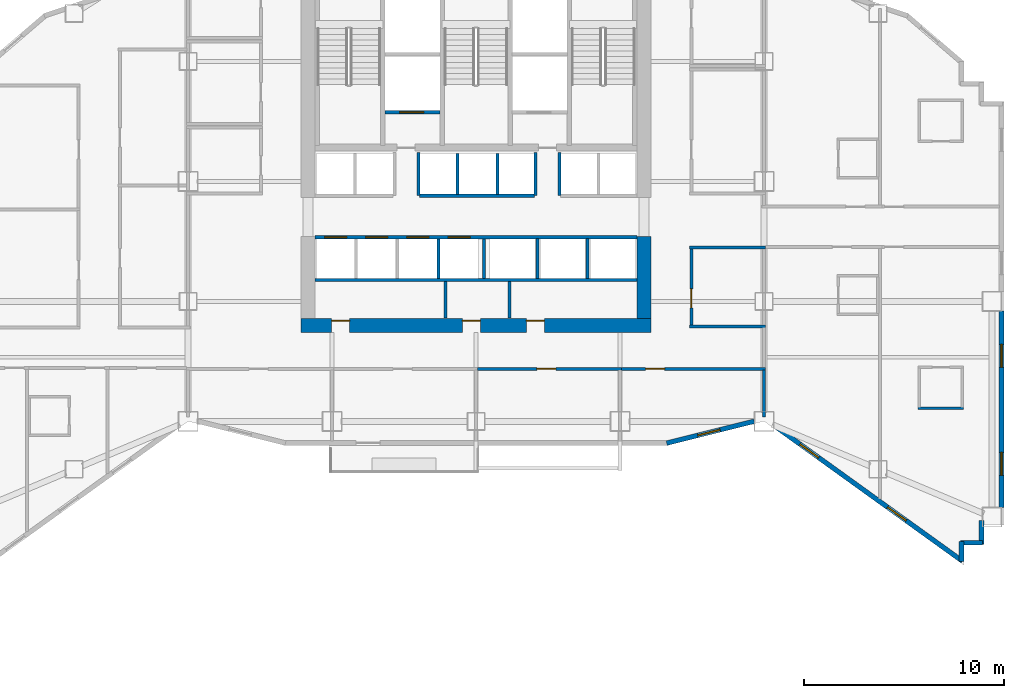
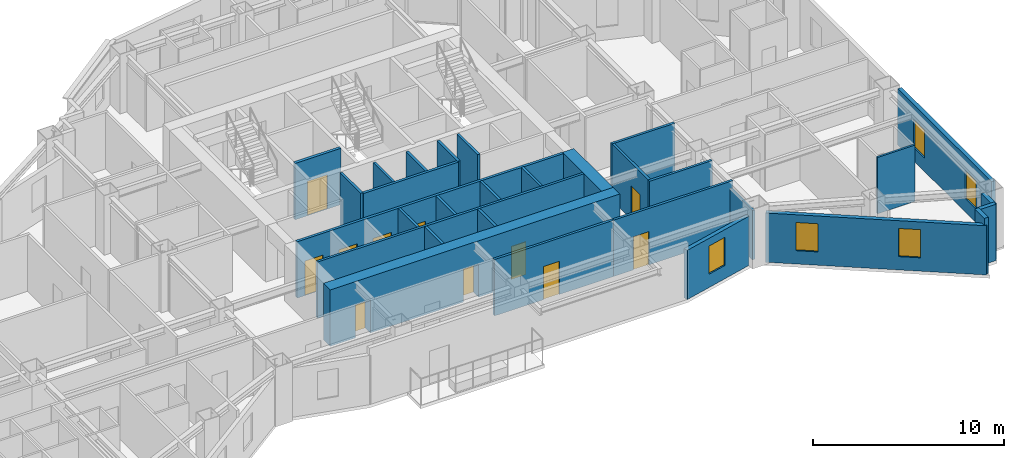
# One storey, part 7 of 13: 30 walls, 11 doors, 5 windows, 16 openings.
"""IFC4 building model written with IfcOpenShell, lengths in metres."""

import ifcopenshell
import ifcopenshell.guid

model = None  # the IFC model being written
_history = None  # IfcOwnerHistory: only IFC2X3 demands one
_inside = {}  # id of a spatial element -> (the spatial element, [elements in it])
_under = {}  # id of a project, library or spatial element -> (it, [spatial elements below it])
_declared = {}  # id of a project -> (the project, [libraries it declares])
_typed = {}  # id of a type object -> (the type object, [elements of that type])
_made_of = {}  # id of a material, layer set ... -> (it, [elements and type objects made of it])


def new_model(schema):
    """Start an empty IFC model of exactly this schema.

    Asked for "IFC4X3", IfcOpenShell would pick the latest addendum, in which some entities
    have other attributes; the version numbers below select the first issue.
    IFC2X3 requires an IfcOwnerHistory on every rooted entity: one is made here for all.
    """
    global model, _history
    if schema == "IFC4X3":
        model = ifcopenshell.file(schema_version=(4, 3, 0, 0))
    else:
        model = ifcopenshell.file(schema=schema)
    _inside.clear()
    _under.clear()
    _declared.clear()
    _typed.clear()
    _made_of.clear()
    _history = None
    if model.schema == "IFC2X3":
        org = make("IfcOrganization", Name="unknown")
        user = make(
            "IfcPersonAndOrganization",
            ThePerson=make("IfcPerson", FamilyName="unknown"),
            TheOrganization=org,
        )
        app = make(
            "IfcApplication",
            ApplicationDeveloper=org,
            Version="unknown",
            ApplicationFullName="unknown",
            ApplicationIdentifier="unknown",
        )
        _history = make(
            "IfcOwnerHistory",
            OwningUser=user,
            OwningApplication=app,
            ChangeAction="ADDED",
            CreationDate=0,
        )
    return model


def make(cls, **values):
    """One entity of the class cls with the attributes given. An attribute that is None is left unset."""
    return model.create_entity(
        cls, **{name: value for name, value in values.items() if value is not None}
    )


def rooted(cls, **values):
    """An entity with a GlobalId (a new one), such as an element, a storey or a relation."""
    return make(cls, GlobalId=ifcopenshell.guid.new(), OwnerHistory=_history, **values)


def si_unit(unit_type, name, prefix=None):
    """IfcSIUnit, for example si_unit("LENGTHUNIT", "METRE", prefix="MILLI")."""
    return make("IfcSIUnit", UnitType=unit_type, Prefix=prefix, Name=name)


def assignment(units):
    """IfcUnitAssignment: the units of a project."""
    return None if units is None else make("IfcUnitAssignment", Units=units)


def point(xyz):
    """IfcCartesianPoint."""
    return None if xyz is None else make("IfcCartesianPoint", Coordinates=xyz)


def direction(xyz):
    """IfcDirection."""
    return None if xyz is None else make("IfcDirection", DirectionRatios=xyz)


def frame(location, z_axis=None, x_axis=None):
    """IfcAxis2Placement3D, a coordinate frame: its origin and axes. An axis left out is left unset."""
    return make(
        "IfcAxis2Placement3D",
        Location=point(location),
        Axis=direction(z_axis),
        RefDirection=direction(x_axis),
    )


def frame_2d(location, x_axis=None):
    """IfcAxis2Placement2D, a coordinate frame in the plane: its origin and x axis."""
    return make(
        "IfcAxis2Placement2D", Location=point(location), RefDirection=direction(x_axis)
    )


def origin():
    """The frame at (0, 0, 0) with its axes left unset."""
    return frame((0.0, 0.0, 0.0))


def place(relative_to, where):
    """IfcLocalPlacement: puts the frame where relative to a parent placement (None: the world)."""
    return make(
        "IfcLocalPlacement", PlacementRelTo=relative_to, RelativePlacement=where
    )


def context(
    kind, dimensions, precision=None, world=None, true_north=None, identifier=None
):
    """IfcGeometricRepresentationContext, for example the 3D "Model" context."""
    return make(
        "IfcGeometricRepresentationContext",
        ContextIdentifier=identifier,
        ContextType=kind,
        CoordinateSpaceDimension=dimensions,
        Precision=precision,
        WorldCoordinateSystem=world,
        TrueNorth=true_north,
    )


def subcontext(parent, identifier, kind, view, scale=None):
    """IfcGeometricRepresentationSubContext, for example "Body" below "Model"."""
    return make(
        "IfcGeometricRepresentationSubContext",
        ContextIdentifier=identifier,
        ContextType=kind,
        ParentContext=parent,
        TargetScale=scale,
        TargetView=view,
    )


def project(units=None, contexts=None):
    """IfcProject with its units and contexts."""
    return rooted(
        "IfcProject",
        Name="project",
        RepresentationContexts=contexts,
        UnitsInContext=assignment(units),
    )


def spatial(cls, under=None, at=None, **own):
    """A site, building, storey or space (cls), placed at a placement, below another one or the project."""
    s = rooted(cls, ObjectPlacement=at, **own)
    if under is not None:
        _under.setdefault(under.id(), (under, []))[1].append(s)
    return s


def profile(cls, at=None, kind="AREA", **sizes):
    """A parametric profile (cls). Its sizes go by their IFC names, for example OverallWidth=200.0."""
    return make(cls, ProfileType=kind, Position=at, **sizes)


def rectangle(**sizes):
    """IfcRectangleProfileDef."""
    return profile("IfcRectangleProfileDef", **sizes)


def extrude(swept, where, along, depth):
    """IfcExtrudedAreaSolid: the profile swept, set in the frame where, extruded along a direction by depth."""
    return make(
        "IfcExtrudedAreaSolid",
        SweptArea=swept,
        Position=where,
        ExtrudedDirection=direction(along),
        Depth=depth,
    )


def shape(context_of_items, identifier, shape_type, items):
    """IfcShapeRepresentation: the items that make up one representation, for example the "Body"."""
    return make(
        "IfcShapeRepresentation",
        ContextOfItems=context_of_items,
        RepresentationIdentifier=identifier,
        RepresentationType=shape_type,
        Items=items,
    )


def material(Name=None, Category=None):
    """IfcMaterial."""
    return make("IfcMaterial", Name=Name, Category=Category)


def layer(
    of_material, thickness, ventilated=None, Name=None, Category=None, Priority=None
):
    """IfcMaterialLayer: one layer of a wall or slab, of a material (None: an air gap)."""
    return make(
        "IfcMaterialLayer",
        Material=of_material,
        LayerThickness=thickness,
        IsVentilated=ventilated,
        Name=Name,
        Category=Category,
        Priority=Priority,
    )


def layer_set(layers, Name=None):
    """IfcMaterialLayerSet."""
    return make("IfcMaterialLayerSet", MaterialLayers=layers, LayerSetName=Name)


def made_of(thing, what):
    """Note that an element or type object is made of a material, layer set ...; save() writes the relation."""
    if what is not None:
        _made_of.setdefault(what.id(), (what, []))[1].append(thing)
    return thing


def type_object(cls, material=None, **own):
    """A type object (cls), such as IfcWallType, which elements share."""
    return made_of(rooted(cls, **own), material)


def element(
    cls,
    number,
    at=None,
    inside=None,
    cuts=None,
    type_object=None,
    material=None,
    context=None,
    identifier="Body",
    shape_type=None,
    held_by="IfcProductDefinitionShape",
    body=None,
    shapes=None,
    **own,
):
    """One element of the class cls, such as IfcWall. Its Tag is "e" and its number.

    at: its placement. inside: the storey or other place that contains it. cuts: it is an
    opening in that element (IfcRelVoidsElement). A single representation is given by context,
    identifier, shape_type and body (its items); several are given by shapes. held_by: the class
    of the entity that holds the representations. save() writes the other relations.
    """
    e = rooted(cls, Tag="e%d" % number, ObjectPlacement=at, **own)
    if body is not None:
        shapes = [shape(context, identifier, shape_type, body)]
    if shapes is not None:
        e.Representation = make(held_by, Representations=shapes)
    if inside is not None:
        _inside.setdefault(inside.id(), (inside, []))[1].append(e)
    if cuts is not None:
        rooted(
            "IfcRelVoidsElement", RelatingBuildingElement=cuts, RelatedOpeningElement=e
        )
    if type_object is not None:
        _typed.setdefault(type_object.id(), (type_object, []))[1].append(e)
    return made_of(e, material)


def fill(opening, filler):
    """IfcRelFillsElement: the door or window that sits in an opening."""
    return rooted(
        "IfcRelFillsElement",
        RelatingOpeningElement=opening,
        RelatedBuildingElement=filler,
    )


def aggregate(whole, parts):
    """IfcRelAggregates: a whole, such as a stair, and the parts it consists of."""
    return rooted("IfcRelAggregates", RelatingObject=whole, RelatedObjects=parts)


def save(model, path):
    """Write the relations noted so far, then the file.

    IfcRelAggregates (storeys below a building ...), IfcRelContainedInSpatialStructure (elements
    in a storey), IfcRelDefinesByType, IfcRelAssociatesMaterial and IfcRelDeclares: one each for
    every whole, place, type object, material and project.
    """
    for whole, parts in _under.values():
        aggregate(whole, parts)
    for where, things in _inside.values():
        rooted(
            "IfcRelContainedInSpatialStructure",
            RelatedElements=things,
            RelatingStructure=where,
        )
    for kind, things in _typed.values():
        rooted("IfcRelDefinesByType", RelatedObjects=things, RelatingType=kind)
    for what, things in _made_of.values():
        rooted("IfcRelAssociatesMaterial", RelatedObjects=things, RelatingMaterial=what)
    for by, libraries in _declared.values():
        rooted("IfcRelDeclares", RelatingContext=by, RelatedDefinitions=libraries)
    model.write(path)


model = new_model("IFC4")

# Units and contexts
model_context = context("Model", 3, precision=1e-05, world=origin(), true_north=direction((0.0, 1.0)))
body_context = subcontext(model_context, "Body", "Model", "MODEL_VIEW")
ifc_project = project(units=[si_unit("LENGTHUNIT", "METRE"), si_unit("AREAUNIT", "SQUARE_METRE"), si_unit("VOLUMEUNIT", "CUBIC_METRE"), si_unit("PLANEANGLEUNIT", "RADIAN"), si_unit("MASSUNIT", "GRAM", prefix="KILO")], contexts=[model_context])

# Site, building, storey
site_placement = place(None, origin())
site = spatial("IfcSite", under=ifc_project, at=site_placement, CompositionType="ELEMENT")
building_placement = place(site_placement, origin())
building = spatial("IfcBuilding", under=site, at=building_placement, Name="Haolan Belvedere Tower", CompositionType="ELEMENT")
storey_placement = place(building_placement, frame((0.0, 0.0, 102.199951171875)))
storey = spatial("IfcBuildingStorey", under=building, at=storey_placement, Name="L25", CompositionType="ELEMENT", Elevation=102.199951171875)

# Wall, openings, doors
ifc_material_1 = material(Name="Concrete C60/75", Category="concrete")
ifc_layer_1 = layer(ifc_material_1, 0.699951171875, Name="Concrete C60/75")
ifc_layer_set_1 = layer_set([ifc_layer_1], Name="Concrete C60/75")
wall_type_1 = type_object("IfcWallType", Name="WL-CORE-700", PredefinedType="SHEAR", material=ifc_layer_set_1)
wall_1_placement = place(storey_placement, frame((29.64990234375, 26.39990234375, 0.0), z_axis=(0.0, 0.0, 1.0), x_axis=(1.0, 0.0, 0.0)))
wall_1 = element("IfcWall", 1, at=wall_1_placement, inside=storey, type_object=wall_type_1, Name="L25 central core south shear wall", PredefinedType="SHEAR", context=body_context, shape_type="SweptSolid", body=[
    extrude(rectangle(XDim=17.5, YDim=0.699951171875, at=frame_2d((8.75, 0.0))), origin(), (0.0, 0.0, 1.0), 3.60009765625),
])
opening_1_placement = place(wall_1_placement, frame((2.419921875, 0.0, 0.0), z_axis=(0.0, 0.0, 1.0), x_axis=(-1.0, 0.0, 0.0)))
opening_1 = element("IfcOpeningElement", 2, at=opening_1_placement, cuts=wall_1, Name="Opening FD-05", PredefinedType="OPENING", context=body_context, shape_type="SweptSolid", body=[
    extrude(rectangle(XDim=0.89990234375, YDim=2.10009765625, at=frame_2d((0.449951171875, 1.050048828125))), frame((0.0, 0.35986328125, 0.0), z_axis=(0.0, -1.0, 0.0), x_axis=(1.0, 0.0, 0.0)), (0.0, 0.0, 1.0), 0.719970703125),
])
opening_2_placement = place(wall_1_placement, frame((8.9599609375, 0.0, 0.0), z_axis=(0.0, 0.0, 1.0), x_axis=(-1.0, 0.0, 0.0)))
opening_2 = element("IfcOpeningElement", 3, at=opening_2_placement, cuts=wall_1, Name="Opening FD-05", PredefinedType="OPENING", context=body_context, shape_type="SweptSolid", body=[
    extrude(rectangle(XDim=0.89990234375, YDim=2.10009765625, at=frame_2d((0.449951171875, 1.050048828125))), frame((0.0, 0.35986328125, 0.0), z_axis=(0.0, -1.0, 0.0), x_axis=(1.0, 0.0, 0.0)), (0.0, 0.0, 1.0), 0.719970703125),
])
opening_3_placement = place(wall_1_placement, frame((12.159912109375, 0.0, 0.0), z_axis=(0.0, 0.0, 1.0), x_axis=(-1.0, 0.0, 0.0)))
opening_3 = element("IfcOpeningElement", 4, at=opening_3_placement, cuts=wall_1, Name="Opening FD-05", PredefinedType="OPENING", context=body_context, shape_type="SweptSolid", body=[
    extrude(rectangle(XDim=0.89990234375, YDim=2.10009765625, at=frame_2d((0.449951171875, 1.050048828125))), frame((0.0, 0.35986328125, 0.0), z_axis=(0.0, -1.0, 0.0), x_axis=(1.0, 0.0, 0.0)), (0.0, 0.0, 1.0), 0.719970703125),
])
ifc_material_2 = material(Name="Galvanised fire-rated steel", Category="steel")
door_type_1 = type_object("IfcDoorType", Name="DR-FD60-900", OperationType="NOTDEFINED", PredefinedType="DOOR", material=ifc_material_2)
door_1_placement = place(opening_1_placement, origin())
door_1 = element("IfcDoor", 5, at=door_1_placement, inside=storey, type_object=door_type_1, Name="L25 door CD-L25-SCV-1", OperationType="SINGLE_SWING_LEFT", OverallHeight=2.10009765625, OverallWidth=0.89990234375, PredefinedType="DOOR", context=body_context, shape_type="SweptSolid", body=[
    extrude(rectangle(XDim=0.89990234375, YDim=2.10009765625, at=frame_2d((0.449951171875, 1.050048828125))), frame((0.0, -0.19482421875, 0.0), z_axis=(0.0, -1.0, 0.0), x_axis=(1.0, 0.0, 0.0)), (0.0, 0.0, 1.0), 0.050048828125),
])
fill(opening_1, door_1)
door_2_placement = place(opening_2_placement, origin())
door_2 = element("IfcDoor", 6, at=door_2_placement, inside=storey, type_object=door_type_1, Name="L25 door CD-L25-SCV-2", OperationType="SINGLE_SWING_RIGHT", OverallHeight=2.10009765625, OverallWidth=0.89990234375, PredefinedType="DOOR", context=body_context, shape_type="SweptSolid", body=[
    extrude(rectangle(XDim=0.89990234375, YDim=2.10009765625, at=frame_2d((0.449951171875, 1.050048828125))), frame((0.0, -0.19482421875, 0.0), z_axis=(0.0, -1.0, 0.0), x_axis=(1.0, 0.0, 0.0)), (0.0, 0.0, 1.0), 0.050048828125),
])
fill(opening_2, door_2)
door_3_placement = place(opening_3_placement, origin())
door_3 = element("IfcDoor", 7, at=door_3_placement, inside=storey, type_object=door_type_1, Name="L25 door CD-L25-SCV-3", OperationType="SINGLE_SWING_LEFT", OverallHeight=2.10009765625, OverallWidth=0.89990234375, PredefinedType="DOOR", context=body_context, shape_type="SweptSolid", body=[
    extrude(rectangle(XDim=0.89990234375, YDim=2.10009765625, at=frame_2d((0.449951171875, 1.050048828125))), frame((0.0, -0.19482421875, 0.0), z_axis=(0.0, -1.0, 0.0), x_axis=(1.0, 0.0, 0.0)), (0.0, 0.0, 1.0), 0.050048828125),
])
fill(opening_3, door_3)

# Wall
wall_2_placement = place(storey_placement, frame((46.800048828125, 26.75, 0.0), z_axis=(0.0, 0.0, 1.0), x_axis=(0.0, 1.0, 0.0)))
element("IfcWall", 8, at=wall_2_placement, inside=storey, type_object=wall_type_1, Name="L25 central core shear wall ES", PredefinedType="SHEAR", context=body_context, shape_type="SweptSolid", body=[
    extrude(rectangle(XDim=4.10009765625, YDim=0.699951171875, at=frame_2d((2.050048828125, 0.0))), origin(), (0.0, 0.0, 1.0), 3.60009765625),
])

# Wall, opening, window
ifc_material_3 = material(Name="Precast concrete C40/50", Category="concrete")
ifc_layer_2 = layer(ifc_material_3, 0.239990234375, Name="Precast concrete C40/50")
ifc_layer_set_2 = layer_set([ifc_layer_2], Name="Precast concrete C40/50")
wall_type_2 = type_object("IfcWallType", Name="WL-EXT-240", PredefinedType="SOLIDWALL", material=ifc_layer_set_2)
wall_3_placement = place(storey_placement, frame((47.931884765625, 20.506591796875, 0.0), z_axis=(0.0, 0.0, 1.0), x_axis=(0.970145683738, 0.242522890311, 0.0)))
wall_3 = element("IfcWall", 9, at=wall_3_placement, inside=storey, type_object=wall_type_2, Name="L25 pale-metal exterior spandrel wall 8.1", PredefinedType="SOLIDWALL", context=body_context, shape_type="SweptSolid", body=[
    extrude(rectangle(XDim=4.510986328125, YDim=0.239990234375, at=frame_2d((2.25537109375, 0.0))), origin(), (0.0, 0.0, 1.0), 3.14501953125),
])
opening_4_placement = place(wall_3_placement, frame((1.60009765625, 0.0, 0.85009765625)))
opening_4 = element("IfcOpeningElement", 10, at=opening_4_placement, cuts=wall_3, Name="Opening W-02", PredefinedType="OPENING", context=body_context, shape_type="SweptSolid", body=[
    extrude(rectangle(XDim=1.14990234375, YDim=1.800048828125, at=frame_2d((0.574951171875, 0.89990234375))), frame((0.0, 0.1298828125, 0.0), z_axis=(0.0, -1.0, 0.0), x_axis=(1.0, 0.0, 0.0)), (0.0, 0.0, 1.0), 0.260009765625),
])
ifc_material_4 = material(Name="Anodised aluminium 6063-T6 and Low-E glass", Category="aluminium")
window_type = type_object("IfcWindowType", Name="WN-DECO-Z2", PartitioningType="SINGLE_PANEL", PredefinedType="WINDOW", material=ifc_material_4)
window_1_placement = place(opening_4_placement, origin())
window_1 = element("IfcWindow", 11, at=window_1_placement, inside=storey, type_object=window_type, Name="L25 Art Deco chevron window 1", OverallHeight=1.800048828125, OverallWidth=1.14990234375, PartitioningType="SINGLE_PANEL", PredefinedType="WINDOW", context=body_context, shape_type="SweptSolid", body=[
    extrude(rectangle(XDim=1.14990234375, YDim=1.800048828125, at=frame_2d((0.574951171875, 0.89990234375))), frame((0.0, 0.030029296875, 0.0), z_axis=(0.0, -1.0, 0.0), x_axis=(1.0, 0.0, 0.0)), (0.0, 0.0, 1.0), 0.06005859375),
])
fill(opening_4, window_1)

# Wall, openings, windows
wall_4_placement = place(storey_placement, frame((53.2919921875, 21.3935546875, 0.0), z_axis=(0.0, 0.0, 1.0), x_axis=(0.811543504691, -0.584291998913, 0.0)))
wall_4 = element("IfcWall", 12, at=wall_4_placement, inside=storey, type_object=wall_type_2, Name="L25 pale-metal exterior spandrel wall 9.1", PredefinedType="SOLIDWALL", context=body_context, shape_type="SweptSolid", body=[
    extrude(rectangle(XDim=11.623046875, YDim=0.239990234375, at=frame_2d((5.8115234375, 0.0))), origin(), (0.0, 0.0, 1.0), 3.14501953125),
])
opening_5_placement = place(wall_4_placement, frame((1.60009765625, 0.0, 0.85009765625)))
opening_5 = element("IfcOpeningElement", 13, at=opening_5_placement, cuts=wall_4, Name="Opening W-02", PredefinedType="OPENING", context=body_context, shape_type="SweptSolid", body=[
    extrude(rectangle(XDim=1.14990234375, YDim=1.800048828125, at=frame_2d((0.574951171875, 0.89990234375))), frame((0.0, 0.1298828125, 0.0), z_axis=(0.0, -1.0, 0.0), x_axis=(1.0, 0.0, 0.0)), (0.0, 0.0, 1.0), 0.260009765625),
])
opening_6_placement = place(wall_4_placement, frame((7.0, 0.0, 0.85009765625)))
opening_6 = element("IfcOpeningElement", 14, at=opening_6_placement, cuts=wall_4, Name="Opening W-02", PredefinedType="OPENING", context=body_context, shape_type="SweptSolid", body=[
    extrude(rectangle(XDim=1.14990234375, YDim=1.800048828125, at=frame_2d((0.574951171875, 0.89990234375))), frame((0.0, 0.1298828125, 0.0), z_axis=(0.0, -1.0, 0.0), x_axis=(1.0, 0.0, 0.0)), (0.0, 0.0, 1.0), 0.260009765625),
])
window_2_placement = place(opening_5_placement, origin())
window_2 = element("IfcWindow", 15, at=window_2_placement, inside=storey, type_object=window_type, Name="L25 Art Deco chevron window 1", OverallHeight=1.800048828125, OverallWidth=1.14990234375, PartitioningType="SINGLE_PANEL", PredefinedType="WINDOW", context=body_context, shape_type="SweptSolid", body=[
    extrude(rectangle(XDim=1.14990234375, YDim=1.800048828125, at=frame_2d((0.574951171875, 0.89990234375))), frame((0.0, 0.030029296875, 0.0), z_axis=(0.0, -1.0, 0.0), x_axis=(1.0, 0.0, 0.0)), (0.0, 0.0, 1.0), 0.06005859375),
])
fill(opening_5, window_2)
window_3_placement = place(opening_6_placement, origin())
window_3 = element("IfcWindow", 16, at=window_3_placement, inside=storey, type_object=window_type, Name="L25 Art Deco chevron window 2", OverallHeight=1.800048828125, OverallWidth=1.14990234375, PartitioningType="SINGLE_PANEL", PredefinedType="WINDOW", context=body_context, shape_type="SweptSolid", body=[
    extrude(rectangle(XDim=1.14990234375, YDim=1.800048828125, at=frame_2d((0.574951171875, 0.89990234375))), frame((0.0, 0.030029296875, 0.0), z_axis=(0.0, -1.0, 0.0), x_axis=(1.0, 0.0, 0.0)), (0.0, 0.0, 1.0), 0.06005859375),
])
fill(opening_6, window_3)

# Walls
wall_5_placement = place(storey_placement, frame((62.679931640625, 14.579345703125, 0.0), z_axis=(0.0, 0.0, 1.0), x_axis=(0.0, 1.0, 0.0)))
element("IfcWall", 17, at=wall_5_placement, inside=storey, type_object=wall_type_2, Name="L25 pale-metal exterior spandrel wall 10.1", PredefinedType="SOLIDWALL", context=body_context, shape_type="SweptSolid", body=[
    extrude(rectangle(XDim=0.99560546875, YDim=0.239990234375, at=frame_2d((0.497802734375, 0.0))), origin(), (0.0, 0.0, 1.0), 3.60009765625),
])
wall_6_placement = place(storey_placement, frame((62.625, 15.52001953125, 0.0), z_axis=(0.0, 0.0, 1.0), x_axis=(1.0, 0.0, 0.0)))
element("IfcWall", 18, at=wall_6_placement, inside=storey, type_object=wall_type_2, Name="L25 pale-metal exterior spandrel wall 11.1", PredefinedType="SOLIDWALL", context=body_context, shape_type="SweptSolid", body=[
    extrude(rectangle(XDim=1.110107421875, YDim=0.239990234375, at=frame_2d((0.55517578125, 0.0))), origin(), (0.0, 0.0, 1.0), 3.60009765625),
])
wall_7_placement = place(storey_placement, frame((63.679931640625, 15.465087890625, 0.0), z_axis=(0.0, 0.0, 1.0), x_axis=(0.0, 1.0, 0.0)))
element("IfcWall", 19, at=wall_7_placement, inside=storey, type_object=wall_type_2, Name="L25 pale-metal exterior spandrel wall 12.1", PredefinedType="SOLIDWALL", context=body_context, shape_type="SweptSolid", body=[
    extrude(rectangle(XDim=1.1748046875, YDim=0.239990234375, at=frame_2d((0.58740234375, 0.0))), origin(), (0.0, 0.0, 1.0), 3.60009765625),
])

# Wall, openings, windows
wall_8_placement = place(storey_placement, frame((64.679931640625, 17.2919921875, 0.0), z_axis=(0.0, 0.0, 1.0), x_axis=(0.0, 1.0, 0.0)))
wall_8 = element("IfcWall", 20, at=wall_8_placement, inside=storey, type_object=wall_type_2, Name="L25 pale-metal exterior spandrel wall 14.1", PredefinedType="SOLIDWALL", context=body_context, shape_type="SweptSolid", body=[
    extrude(rectangle(XDim=9.81591796875, YDim=0.239990234375, at=frame_2d((4.907958984375, 0.0))), origin(), (0.0, 0.0, 1.0), 3.60009765625),
])
opening_7_placement = place(wall_8_placement, frame((1.60009765625, 0.0, 0.85009765625)))
opening_7 = element("IfcOpeningElement", 21, at=opening_7_placement, cuts=wall_8, Name="Opening W-02", PredefinedType="OPENING", context=body_context, shape_type="SweptSolid", body=[
    extrude(rectangle(XDim=1.14990234375, YDim=1.800048828125, at=frame_2d((0.574951171875, 0.89990234375))), frame((0.0, 0.1298828125, 0.0), z_axis=(0.0, -1.0, 0.0), x_axis=(1.0, 0.0, 0.0)), (0.0, 0.0, 1.0), 0.260009765625),
])
opening_8_placement = place(wall_8_placement, frame((7.0, 0.0, 0.85009765625)))
opening_8 = element("IfcOpeningElement", 22, at=opening_8_placement, cuts=wall_8, Name="Opening W-02", PredefinedType="OPENING", context=body_context, shape_type="SweptSolid", body=[
    extrude(rectangle(XDim=1.14990234375, YDim=1.800048828125, at=frame_2d((0.574951171875, 0.89990234375))), frame((0.0, 0.1298828125, 0.0), z_axis=(0.0, -1.0, 0.0), x_axis=(1.0, 0.0, 0.0)), (0.0, 0.0, 1.0), 0.260009765625),
])
window_4_placement = place(opening_7_placement, origin())
window_4 = element("IfcWindow", 23, at=window_4_placement, inside=storey, type_object=window_type, Name="L25 Art Deco chevron window 1", OverallHeight=1.800048828125, OverallWidth=1.14990234375, PartitioningType="SINGLE_PANEL", PredefinedType="WINDOW", context=body_context, shape_type="SweptSolid", body=[
    extrude(rectangle(XDim=1.14990234375, YDim=1.800048828125, at=frame_2d((0.574951171875, 0.89990234375))), frame((0.0, 0.030029296875, 0.0), z_axis=(0.0, -1.0, 0.0), x_axis=(1.0, 0.0, 0.0)), (0.0, 0.0, 1.0), 0.06005859375),
])
fill(opening_7, window_4)
window_5_placement = place(opening_8_placement, origin())
window_5 = element("IfcWindow", 24, at=window_5_placement, inside=storey, type_object=window_type, Name="L25 Art Deco chevron window 2", OverallHeight=1.800048828125, OverallWidth=1.14990234375, PartitioningType="SINGLE_PANEL", PredefinedType="WINDOW", context=body_context, shape_type="SweptSolid", body=[
    extrude(rectangle(XDim=1.14990234375, YDim=1.800048828125, at=frame_2d((0.574951171875, 0.89990234375))), frame((0.0, 0.030029296875, 0.0), z_axis=(0.0, -1.0, 0.0), x_axis=(1.0, 0.0, 0.0)), (0.0, 0.0, 1.0), 0.06005859375),
])
fill(opening_8, window_5)

# Walls
ifc_material_5 = material(Name="Double gypsum acoustic stud partition", Category="masonry")
ifc_layer_3 = layer(ifc_material_5, 0.14990234375, Name="Double gypsum acoustic stud partition")
ifc_layer_set_3 = layer_set([ifc_layer_3], Name="Double gypsum acoustic stud partition")
wall_type_3 = type_object("IfcWallType", Name="WL-PART-150", PredefinedType="PARTITIONING", material=ifc_layer_set_3)
wall_9_placement = place(storey_placement, frame((30.35009765625, 28.659912109375, 0.0), z_axis=(0.0, 0.0, 1.0), x_axis=(1.0, 0.0, 0.0)))
element("IfcWall", 25, at=wall_9_placement, inside=storey, type_object=wall_type_3, Name="L25 interior partition IW-L25-SSTRIP-N", PredefinedType="PARTITIONING", context=body_context, shape_type="SweptSolid", body=[
    extrude(rectangle(XDim=16.099853515625, YDim=0.14990234375, at=frame_2d((8.0498046875, 0.0))), origin(), (0.0, 0.0, 1.0), 3.60009765625),
])
for number, where, z_axis, x_axis, name in (
    (26, (36.8798828125, 26.760009765625, 0.0), (0.0, 0.0, 1.0), (0.0, 1.0, 0.0), "L25 interior partition IW-L25-SCV-DIV-1"),
    (27, (40.080078125, 26.760009765625, 0.0), (0.0, 0.0, 1.0), (0.0, 1.0, 0.0), "L25 interior partition IW-L25-SCV-DIV-2"),
):
    element("IfcWall", number, at=place(storey_placement, frame(where, z_axis=z_axis, x_axis=x_axis)), inside=storey, type_object=wall_type_3, Name=name, PredefinedType="PARTITIONING", context=body_context, shape_type="SweptSolid", body=[
        extrude(rectangle(XDim=1.820068359375, YDim=0.14990234375, at=frame_2d((0.91015625, 0.0))), origin(), (0.0, 0.0, 1.0), 3.60009765625),
    ])
for number, where, z_axis, x_axis, name in (
    (28, (49.080078125, 30.280029296875, 0.0), (0.0, 0.0, 1.0), (1.0, 0.0, 0.0), "L25 interior partition IW-L25-PKTE-N"),
    (29, (49.080078125, 26.35009765625, 0.0), (0.0, 0.0, 1.0), (1.0, 0.0, 0.0), "L25 interior partition IW-L25-PKTE-S"),
):
    element("IfcWall", number, at=place(storey_placement, frame(where, z_axis=z_axis, x_axis=x_axis)), inside=storey, type_object=wall_type_3, Name=name, PredefinedType="PARTITIONING", context=body_context, shape_type="SweptSolid", body=[
        extrude(rectangle(XDim=3.7998046875, YDim=0.14990234375, at=frame_2d((1.89990234375, 0.0))), origin(), (0.0, 0.0, 1.0), 3.60009765625),
    ])

# Wall, opening, door
wall_10_placement = place(storey_placement, frame((49.159912109375, 26.409912109375, 0.0), z_axis=(0.0, 0.0, 1.0), x_axis=(0.0, 1.0, 0.0)))
wall_10 = element("IfcWall", 30, at=wall_10_placement, inside=storey, type_object=wall_type_3, Name="L25 interior partition IW-L25-PKTE-W", PredefinedType="PARTITIONING", context=body_context, shape_type="SweptSolid", body=[
    extrude(rectangle(XDim=3.81005859375, YDim=0.14990234375, at=frame_2d((1.905029296875, 0.0))), origin(), (0.0, 0.0, 1.0), 3.60009765625),
])
opening_9_placement = place(wall_10_placement, frame((0.860107421875, 0.0, 0.0)))
opening_9 = element("IfcOpeningElement", 31, at=opening_9_placement, cuts=wall_10, Name="Opening ID-03", PredefinedType="OPENING", context=body_context, shape_type="SweptSolid", body=[
    extrude(rectangle(XDim=0.949951171875, YDim=2.1201171875, at=frame_2d((0.47509765625, 1.06005859375))), frame((0.0, 0.0849609375, 0.0), z_axis=(0.0, -1.0, 0.0), x_axis=(1.0, 0.0, 0.0)), (0.0, 0.0, 1.0), 0.169921875),
])
ifc_material_6 = material(Name="Painted solid-core timber", Category="wood")
door_type_2 = type_object("IfcDoorType", Name="DR-INT-950", OperationType="NOTDEFINED", PredefinedType="DOOR", material=ifc_material_6)
door_4_placement = place(opening_9_placement, origin())
door_4 = element("IfcDoor", 32, at=door_4_placement, inside=storey, type_object=door_type_2, Name="L25 door ID-L25-PKTE", OperationType="SINGLE_SWING_RIGHT", OverallHeight=2.1201171875, OverallWidth=0.949951171875, PredefinedType="DOOR", context=body_context, shape_type="SweptSolid", body=[
    extrude(rectangle(XDim=0.949951171875, YDim=2.1201171875, at=frame_2d((0.47509765625, 1.06005859375))), frame((0.0, 0.02490234375, 0.0), z_axis=(0.0, -1.0, 0.0), x_axis=(1.0, 0.0, 0.0)), (0.0, 0.0, 1.0), 0.050048828125),
])
fill(opening_9, door_4)

wall_11_placement = place(storey_placement, frame((38.48193359375, 24.219970703125, 0.0), z_axis=(0.0, 0.0, 1.0), x_axis=(1.0, 0.0, 0.0)))
wall_11 = element("IfcWall", 33, at=wall_11_placement, inside=storey, type_object=wall_type_3, Name="L25 interior partition IW-L25-KS3-N", PredefinedType="PARTITIONING", context=body_context, shape_type="SweptSolid", body=[
    extrude(rectangle(XDim=7.197998046875, YDim=0.14990234375, at=frame_2d((3.59912109375, 0.0))), origin(), (0.0, 0.0, 1.0), 3.60009765625),
])
opening_10_placement = place(wall_11_placement, frame((3.912841796875, 0.0, 0.0), z_axis=(0.0, 0.0, 1.0), x_axis=(-1.0, 0.0, 0.0)))
opening_10 = element("IfcOpeningElement", 34, at=opening_10_placement, cuts=wall_11, Name="Opening ID-03", PredefinedType="OPENING", context=body_context, shape_type="SweptSolid", body=[
    extrude(rectangle(XDim=0.949951171875, YDim=2.1201171875, at=frame_2d((0.47509765625, 1.06005859375))), frame((0.0, 0.0849609375, 0.0), z_axis=(0.0, -1.0, 0.0), x_axis=(1.0, 0.0, 0.0)), (0.0, 0.0, 1.0), 0.169921875),
])
door_5_placement = place(opening_10_placement, origin())
door_5 = element("IfcDoor", 35, at=door_5_placement, inside=storey, type_object=door_type_2, Name="L25 door ID-L25-KS3", OperationType="SINGLE_SWING_LEFT", OverallHeight=2.1201171875, OverallWidth=0.949951171875, PredefinedType="DOOR", context=body_context, shape_type="SweptSolid", body=[
    extrude(rectangle(XDim=0.949951171875, YDim=2.1201171875, at=frame_2d((0.47509765625, 1.06005859375))), frame((0.0, 0.02490234375, 0.0), z_axis=(0.0, -1.0, 0.0), x_axis=(1.0, 0.0, 0.0)), (0.0, 0.0, 1.0), 0.050048828125),
])
fill(opening_10, door_5)

wall_12_placement = place(storey_placement, frame((45.681884765625, 24.219970703125, 0.0), z_axis=(0.0, 0.0, 1.0), x_axis=(1.0, 0.0, 0.0)))
wall_12 = element("IfcWall", 36, at=wall_12_placement, inside=storey, type_object=wall_type_3, Name="L25 interior partition IW-L25-KS4-N", PredefinedType="PARTITIONING", context=body_context, shape_type="SweptSolid", body=[
    extrude(rectangle(XDim=7.197998046875, YDim=0.14990234375, at=frame_2d((3.59912109375, 0.0))), origin(), (0.0, 0.0, 1.0), 3.60009765625),
])
opening_11_placement = place(wall_12_placement, frame((2.14306640625, 0.0, 0.0), z_axis=(0.0, 0.0, 1.0), x_axis=(-1.0, 0.0, 0.0)))
opening_11 = element("IfcOpeningElement", 37, at=opening_11_placement, cuts=wall_12, Name="Opening ID-03", PredefinedType="OPENING", context=body_context, shape_type="SweptSolid", body=[
    extrude(rectangle(XDim=0.949951171875, YDim=2.1201171875, at=frame_2d((0.47509765625, 1.06005859375))), frame((0.0, 0.0849609375, 0.0), z_axis=(0.0, -1.0, 0.0), x_axis=(1.0, 0.0, 0.0)), (0.0, 0.0, 1.0), 0.169921875),
])
door_6_placement = place(opening_11_placement, origin())
door_6 = element("IfcDoor", 38, at=door_6_placement, inside=storey, type_object=door_type_2, Name="L25 door ID-L25-KS4", OperationType="SINGLE_SWING_RIGHT", OverallHeight=2.1201171875, OverallWidth=0.949951171875, PredefinedType="DOOR", context=body_context, shape_type="SweptSolid", body=[
    extrude(rectangle(XDim=0.949951171875, YDim=2.1201171875, at=frame_2d((0.47509765625, 1.06005859375))), frame((0.0, 0.02490234375, 0.0), z_axis=(0.0, -1.0, 0.0), x_axis=(1.0, 0.0, 0.0)), (0.0, 0.0, 1.0), 0.050048828125),
])
fill(opening_11, door_6)

# Walls
wall_13_placement = place(storey_placement, frame((52.800048828125, 21.818603515625, 0.0), z_axis=(0.0, 0.0, 1.0), x_axis=(0.0, 1.0, 0.0)))
element("IfcWall", 39, at=wall_13_placement, inside=storey, type_object=wall_type_3, Name="L25 interior partition IW-L25-KS4-E", PredefinedType="PARTITIONING", context=body_context, shape_type="SweptSolid", body=[
    extrude(rectangle(XDim=2.34130859375, YDim=0.14990234375, at=frame_2d((1.170654296875, 0.0))), origin(), (0.0, 0.0, 1.0), 3.14501953125),
])
ifc_material_7 = material(Name="Gypsum fire shaftwall assembly", Category="masonry")
ifc_layer_4 = layer(ifc_material_7, 0.1650390625, Name="Gypsum fire shaftwall assembly")
ifc_layer_set_4 = layer_set([ifc_layer_4], Name="Gypsum fire shaftwall assembly")
wall_type_4 = type_object("IfcWallType", Name="WL-SHAFT-160", PredefinedType="SOLIDWALL", material=ifc_layer_set_4)
for number, where, z_axis, x_axis, name in (
    (40, (35.510009765625, 32.8798828125, 0.0), (0.0, 0.0, 1.0), (0.0, 1.0, 0.0), "L25 interior partition IW-L25-SVP-E-SV1"),
    (41, (41.3701171875, 32.8798828125, 0.0), (0.0, 0.0, 1.0), (0.0, 1.0, 0.0), "L25 interior partition IW-L25-SVP-W-SV2"),
    (42, (42.570068359375, 32.8798828125, 0.0), (0.0, 0.0, 1.0), (0.0, 1.0, 0.0), "L25 interior partition IW-L25-SVP-E-SV2"),
):
    element("IfcWall", number, at=place(storey_placement, frame(where, z_axis=z_axis, x_axis=x_axis)), inside=storey, type_object=wall_type_4, Name=name, PredefinedType="SOLIDWALL", context=body_context, shape_type="SweptSolid", body=[
        extrude(rectangle(XDim=2.170166015625, YDim=0.14990234375, at=frame_2d((1.0849609375, 0.0))), origin(), (0.0, 0.0, 1.0), 3.60009765625),
    ])
wall_14_placement = place(storey_placement, frame((35.570068359375, 32.8798828125, 0.0), z_axis=(0.0, 0.0, 1.0), x_axis=(1.0, 0.0, 0.0)))
element("IfcWall", 43, at=wall_14_placement, inside=storey, type_object=wall_type_4, Name="L25 interior partition IW-L25-ROW-PN2", PredefinedType="SOLIDWALL", context=body_context, shape_type="SweptSolid", body=[
    extrude(rectangle(XDim=5.739990234375, YDim=0.159912109375, at=frame_2d((2.8701171875, 0.0))), origin(), (0.0, 0.0, 1.0), 3.60009765625),
])
for number, where, z_axis, x_axis, name in (
    (44, (37.47998046875, 32.949951171875, 0.0), (0.0, 0.0, 1.0), (0.0, 1.0, 0.0), "L25 interior partition IW-L25-DIV-PL3"),
    (45, (39.469970703125, 32.949951171875, 0.0), (0.0, 0.0, 1.0), (0.0, 1.0, 0.0), "L25 interior partition IW-L25-DIV-PL4"),
):
    element("IfcWall", number, at=place(storey_placement, frame(where, z_axis=z_axis, x_axis=x_axis)), inside=storey, type_object=wall_type_4, Name=name, PredefinedType="SOLIDWALL", context=body_context, shape_type="SweptSolid", body=[
        extrude(rectangle(XDim=2.050048828125, YDim=0.14990234375, at=frame_2d((1.02490234375, 0.0))), origin(), (0.0, 0.0, 1.0), 3.60009765625),
    ])

# Wall, openings, doors
wall_15_placement = place(storey_placement, frame((30.35009765625, 30.800048828125, 0.0), z_axis=(0.0, 0.0, 1.0), x_axis=(1.0, 0.0, 0.0)))
wall_15 = element("IfcWall", 46, at=wall_15_placement, inside=storey, type_object=wall_type_4, Name="L25 interior partition IW-L25-ROW-PS", PredefinedType="SOLIDWALL", context=body_context, shape_type="SweptSolid", body=[
    extrude(rectangle(XDim=16.099853515625, YDim=0.159912109375, at=frame_2d((8.0498046875, 0.0))), origin(), (0.0, 0.0, 1.0), 3.60009765625),
])
opening_12_placement = place(wall_15_placement, frame((0.469970703125, 0.0, 0.0)))
opening_12 = element("IfcOpeningElement", 47, at=opening_12_placement, cuts=wall_15, Name="Opening LD-01", PredefinedType="OPENING", context=body_context, shape_type="SweptSolid", body=[
    extrude(rectangle(XDim=1.10009765625, YDim=2.199951171875, at=frame_2d((0.550048828125, 1.10009765625))), frame((0.0, 0.08984375, 0.0), z_axis=(0.0, -1.0, 0.0), x_axis=(1.0, 0.0, 0.0)), (0.0, 0.0, 1.0), 0.179931640625),
])
opening_13_placement = place(wall_15_placement, frame((2.530029296875, 0.0, 0.0)))
opening_13 = element("IfcOpeningElement", 48, at=opening_13_placement, cuts=wall_15, Name="Opening LD-01", PredefinedType="OPENING", context=body_context, shape_type="SweptSolid", body=[
    extrude(rectangle(XDim=1.10009765625, YDim=2.199951171875, at=frame_2d((0.550048828125, 1.10009765625))), frame((0.0, 0.08984375, 0.0), z_axis=(0.0, -1.0, 0.0), x_axis=(1.0, 0.0, 0.0)), (0.0, 0.0, 1.0), 0.179931640625),
])
opening_14_placement = place(wall_15_placement, frame((4.590087890625, 0.0, 0.0)))
opening_14 = element("IfcOpeningElement", 49, at=opening_14_placement, cuts=wall_15, Name="Opening LD-01", PredefinedType="OPENING", context=body_context, shape_type="SweptSolid", body=[
    extrude(rectangle(XDim=1.10009765625, YDim=2.199951171875, at=frame_2d((0.550048828125, 1.10009765625))), frame((0.0, 0.08984375, 0.0), z_axis=(0.0, -1.0, 0.0), x_axis=(1.0, 0.0, 0.0)), (0.0, 0.0, 1.0), 0.179931640625),
])
opening_15_placement = place(wall_15_placement, frame((6.64990234375, 0.0, 0.0)))
opening_15 = element("IfcOpeningElement", 50, at=opening_15_placement, cuts=wall_15, Name="Opening LD-01", PredefinedType="OPENING", context=body_context, shape_type="SweptSolid", body=[
    extrude(rectangle(XDim=1.10009765625, YDim=2.199951171875, at=frame_2d((0.550048828125, 1.10009765625))), frame((0.0, 0.08984375, 0.0), z_axis=(0.0, -1.0, 0.0), x_axis=(1.0, 0.0, 0.0)), (0.0, 0.0, 1.0), 0.179931640625),
])
ifc_material_8 = material(Name="Brushed champagne stainless steel 316L", Category="steel")
door_type_3 = type_object("IfcDoorType", Name="DR-LIFT-1100", OperationType="SLIDING_TO_LEFT", PredefinedType="DOOR", material=ifc_material_8)
door_7_placement = place(opening_12_placement, origin())
door_7 = element("IfcDoor", 51, at=door_7_placement, inside=storey, type_object=door_type_3, Name="L25 door ID-L25-LD-PM1", OperationType="SLIDING_TO_LEFT", OverallHeight=2.199951171875, OverallWidth=1.10009765625, PredefinedType="DOOR", context=body_context, shape_type="SweptSolid", body=[
    extrude(rectangle(XDim=1.10009765625, YDim=2.199951171875, at=frame_2d((0.550048828125, 1.10009765625))), frame((0.0, 0.02490234375, 0.0), z_axis=(0.0, -1.0, 0.0), x_axis=(1.0, 0.0, 0.0)), (0.0, 0.0, 1.0), 0.050048828125),
])
fill(opening_12, door_7)
door_8_placement = place(opening_13_placement, origin())
door_8 = element("IfcDoor", 52, at=door_8_placement, inside=storey, type_object=door_type_3, Name="L25 door ID-L25-LD-PM2", OperationType="SLIDING_TO_LEFT", OverallHeight=2.199951171875, OverallWidth=1.10009765625, PredefinedType="DOOR", context=body_context, shape_type="SweptSolid", body=[
    extrude(rectangle(XDim=1.10009765625, YDim=2.199951171875, at=frame_2d((0.550048828125, 1.10009765625))), frame((0.0, 0.02490234375, 0.0), z_axis=(0.0, -1.0, 0.0), x_axis=(1.0, 0.0, 0.0)), (0.0, 0.0, 1.0), 0.050048828125),
])
fill(opening_13, door_8)
door_9_placement = place(opening_14_placement, origin())
door_9 = element("IfcDoor", 53, at=door_9_placement, inside=storey, type_object=door_type_3, Name="L25 door ID-L25-LD-PM3", OperationType="SLIDING_TO_LEFT", OverallHeight=2.199951171875, OverallWidth=1.10009765625, PredefinedType="DOOR", context=body_context, shape_type="SweptSolid", body=[
    extrude(rectangle(XDim=1.10009765625, YDim=2.199951171875, at=frame_2d((0.550048828125, 1.10009765625))), frame((0.0, 0.02490234375, 0.0), z_axis=(0.0, -1.0, 0.0), x_axis=(1.0, 0.0, 0.0)), (0.0, 0.0, 1.0), 0.050048828125),
])
fill(opening_14, door_9)
door_10_placement = place(opening_15_placement, origin())
door_10 = element("IfcDoor", 54, at=door_10_placement, inside=storey, type_object=door_type_3, Name="L25 door ID-L25-LD-PM4", OperationType="SLIDING_TO_LEFT", OverallHeight=2.199951171875, OverallWidth=1.10009765625, PredefinedType="DOOR", context=body_context, shape_type="SweptSolid", body=[
    extrude(rectangle(XDim=1.10009765625, YDim=2.199951171875, at=frame_2d((0.550048828125, 1.10009765625))), frame((0.0, 0.02490234375, 0.0), z_axis=(0.0, -1.0, 0.0), x_axis=(1.0, 0.0, 0.0)), (0.0, 0.0, 1.0), 0.050048828125),
])
fill(opening_15, door_10)

# Walls
for number, where, z_axis, x_axis, name in (
    (55, (36.52001953125, 28.735107421875, 0.0), (0.0, 0.0, 1.0), (0.0, 1.0, 0.0), "L25 interior partition IW-L25-DIV-PM3"),
    (56, (38.800048828125, 28.735107421875, 0.0), (0.0, 0.0, 1.0), (0.0, 1.0, 0.0), "L25 interior partition IW-L25-DIV-PM4"),
):
    element("IfcWall", number, at=place(storey_placement, frame(where, z_axis=z_axis, x_axis=x_axis)), inside=storey, type_object=wall_type_4, Name=name, PredefinedType="SOLIDWALL", context=body_context, shape_type="SweptSolid", body=[
        extrude(rectangle(XDim=1.98486328125, YDim=0.14990234375, at=frame_2d((0.992431640625, 0.0))), origin(), (0.0, 0.0, 1.0), 3.60009765625),
    ])
for number, where, z_axis, x_axis, name in (
    (57, (41.469970703125, 28.75, 0.0), (0.0, 0.0, 1.0), (0.0, 1.0, 0.0), "L25 interior partition IW-L25-DIV-OB1"),
    (58, (43.97998046875, 28.75, 0.0), (0.0, 0.0, 1.0), (0.0, 1.0, 0.0), "L25 interior partition IW-L25-DIV-OB2"),
):
    element("IfcWall", number, at=place(storey_placement, frame(where, z_axis=z_axis, x_axis=x_axis)), inside=storey, type_object=wall_type_4, Name=name, PredefinedType="SOLIDWALL", context=body_context, shape_type="SweptSolid", body=[
        extrude(rectangle(XDim=1.985107421875, YDim=0.14990234375, at=frame_2d((0.99267578125, 0.0))), origin(), (0.0, 0.0, 1.0), 3.60009765625),
    ])

# Wall, opening, door
ifc_layer_5 = layer(ifc_material_3, 0.179931640625, Name="Precast concrete C40/50")
ifc_layer_set_5 = layer_set([ifc_layer_5], Name="Precast concrete C40/50")
wall_type_5 = type_object("IfcWallType", Name="WL-SHAFT-180", PredefinedType="SOLIDWALL", material=ifc_layer_set_5)
wall_16_placement = place(storey_placement, frame((33.8349609375, 37.050048828125, 0.0), z_axis=(0.0, 0.0, 1.0), x_axis=(1.0, 0.0, 0.0)))
wall_16 = element("IfcWall", 59, at=wall_16_placement, inside=storey, type_object=wall_type_5, Name="L25 interior partition IW-L25-SV1-S", PredefinedType="SOLIDWALL", context=body_context, shape_type="SweptSolid", body=[
    extrude(rectangle(XDim=2.77001953125, YDim=0.179931640625, at=frame_2d((1.385009765625, 0.0))), origin(), (0.0, 0.0, 1.0), 3.60009765625),
])
opening_16_placement = place(wall_16_placement, frame((1.945068359375, 0.0, 0.0), z_axis=(0.0, 0.0, 1.0), x_axis=(-1.0, 0.0, 0.0)))
opening_16 = element("IfcOpeningElement", 60, at=opening_16_placement, cuts=wall_16, Name="Opening LD-02", PredefinedType="OPENING", context=body_context, shape_type="SweptSolid", body=[
    extrude(rectangle(XDim=1.199951171875, YDim=2.199951171875, at=frame_2d((0.60009765625, 1.10009765625))), frame((0.0, 0.099853515625, 0.0), z_axis=(0.0, -1.0, 0.0), x_axis=(1.0, 0.0, 0.0)), (0.0, 0.0, 1.0), 0.199951171875),
])
door_type_4 = type_object("IfcDoorType", Name="DR-LIFT-1200", OperationType="SLIDING_TO_RIGHT", PredefinedType="DOOR", material=ifc_material_8)
door_11_placement = place(opening_16_placement, origin())
door_11 = element("IfcDoor", 61, at=door_11_placement, inside=storey, type_object=door_type_4, Name="L25 door ID-L25-LD-SV1", OperationType="SLIDING_TO_RIGHT", OverallHeight=2.199951171875, OverallWidth=1.199951171875, PredefinedType="DOOR", context=body_context, shape_type="SweptSolid", body=[
    extrude(rectangle(XDim=1.199951171875, YDim=2.199951171875, at=frame_2d((0.60009765625, 1.10009765625))), frame((0.0, 0.02490234375, 0.0), z_axis=(0.0, -1.0, 0.0), x_axis=(1.0, 0.0, 0.0)), (0.0, 0.0, 1.0), 0.050048828125),
])
fill(opening_16, door_11)

# Wall
ifc_material_9 = material(Name="Moisture-resistant gypsum tile partition", Category="masonry")
ifc_layer_6 = layer(ifc_material_9, 0.1201171875, Name="Moisture-resistant gypsum tile partition")
ifc_layer_set_6 = layer_set([ifc_layer_6], Name="Moisture-resistant gypsum tile partition")
wall_type_6 = type_object("IfcWallType", Name="WL-WET-120", PredefinedType="PARTITIONING", material=ifc_layer_set_6)
wall_17_placement = place(storey_placement, frame((60.501953125, 22.25, 0.0), z_axis=(0.0, 0.0, 1.0), x_axis=(1.0, 0.0, 0.0)))
element("IfcWall", 62, at=wall_17_placement, inside=storey, type_object=wall_type_6, Name="L25 interior partition IW-L25-T4S2-BS", PredefinedType="PARTITIONING", context=body_context, shape_type="SweptSolid", body=[
    extrude(rectangle(XDim=2.27001953125, YDim=0.1201171875, at=frame_2d((1.135009765625, 0.0))), origin(), (0.0, 0.0, 1.0), 3.60009765625),
])

save(model, "model.ifc")
